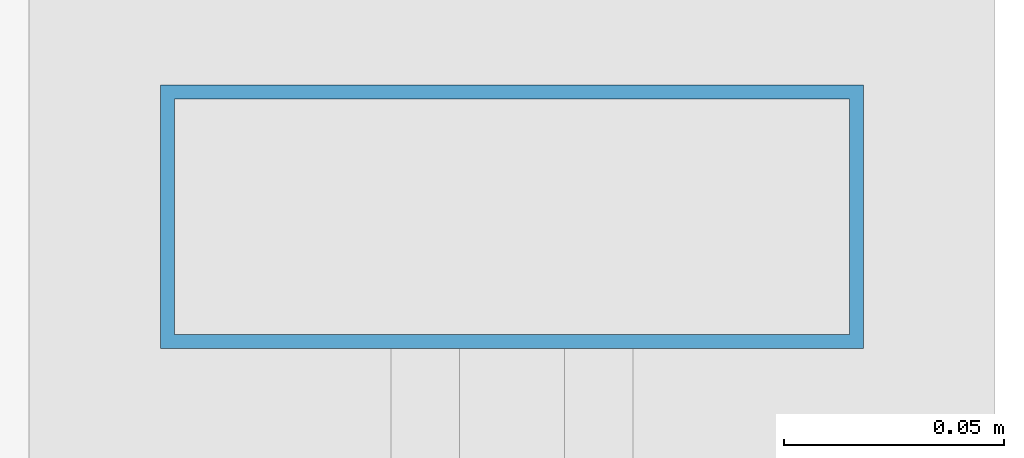
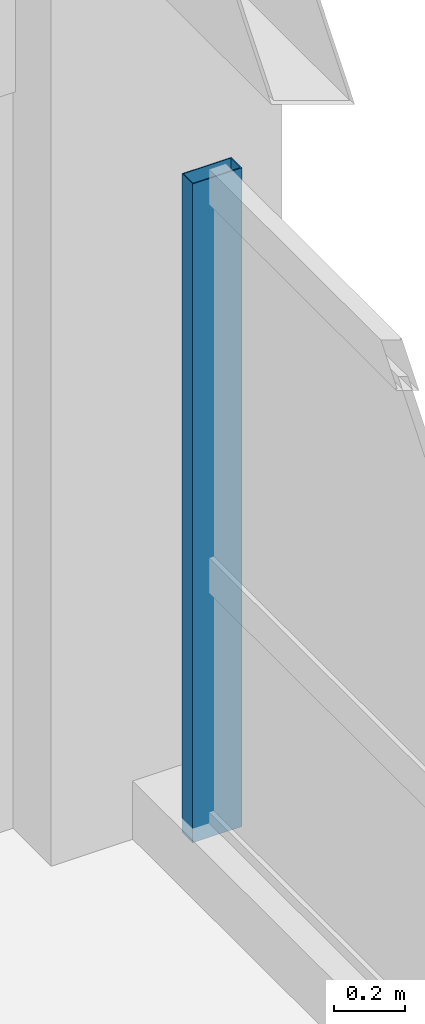
# One storey, part 14 of 20: 1 member, 1 element without a shape of its own.
"""IFC4 building model written with IfcOpenShell, lengths in metres."""

from ifc_helpers import new_model, si_unit, direction, frame, origin, origin_2d, place, context, subcontext, project, spatial, hollow_rectangle, extrude, material, material_profile, profile_set, type_object, element, aggregate, save


model = new_model("IFC4")

# Units and contexts
model_context = context("Model", 3, precision=1e-05, world=origin(), true_north=direction((0.0, 1.0)))
body_context = subcontext(model_context, "Body", "Model", "MODEL_VIEW")
ifc_project = project(units=[si_unit("LENGTHUNIT", "METRE"), si_unit("AREAUNIT", "SQUARE_METRE"), si_unit("VOLUMEUNIT", "CUBIC_METRE"), si_unit("PLANEANGLEUNIT", "RADIAN"), si_unit("MASSUNIT", "GRAM", prefix="KILO")], contexts=[model_context])

# Site, building, storey
site_placement = place(None, origin())
site = spatial("IfcSite", under=ifc_project, at=site_placement, CompositionType="ELEMENT")
building_placement = place(site_placement, origin())
building = spatial("IfcBuilding", under=site, at=building_placement, Name="Kaldorvane Square Convention Centre", CompositionType="ELEMENT")
storey_placement = place(building_placement, frame((0.0, 0.0, 56.399993896484375)))
storey = spatial("IfcBuildingStorey", under=building, at=storey_placement, Name="L13", CompositionType="ELEMENT", Elevation=56.399993896484375)

# Curtain wall, member
ifc_material = material(Name="Anodized Aluminum and Low-E Insulated Glazing", Category="aluminium")
curtain_wall_type = type_object("IfcCurtainWallType", Name="CW-UNI-HTL-A", PredefinedType="USERDEFINED", material=ifc_material)
curtain_wall_placement = place(storey_placement, origin())
curtain_wall = element("IfcCurtainWall", 1, at=curtain_wall_placement, inside=storey, type_object=curtain_wall_type, Name="Curtain Wall CW-10 (L13)", ObjectType="UNITISED GLAZING", PredefinedType="USERDEFINED")
ifc_material_profile = material_profile(ifc_material, hollow_rectangle(XDim=0.05999755859375, YDim=0.160003662109375, WallThickness=0.003204345703125, at=origin_2d()), Name="CWM-160X60")
ifc_profile_set = profile_set([ifc_material_profile], Name="Anodized Aluminum and Low-E Insulated Glazing")
member_type = type_object("IfcMemberType", Name="CW-MUL-160", PredefinedType="MULLION", material=ifc_profile_set)
member_placement = place(storey_placement, frame((84.0, 116.3699951171875, 0.1500091552734375), z_axis=(0.0, 0.0, 1.0), x_axis=(0.0, 1.0, 0.0)))
member = element("IfcMember", 2, at=member_placement, type_object=member_type, Name="CW-10 mullion 4", PredefinedType="MULLION", context=body_context, shape_type="SweptSolid", body=[
    extrude(hollow_rectangle(XDim=0.05999755859375, YDim=0.160003662109375, WallThickness=0.003204345703125, at=origin_2d()), origin(), (0.0, 0.0, 1.0), 2.2599945068359375),
])
aggregate(curtain_wall, [member])

save(model, "model.ifc")
